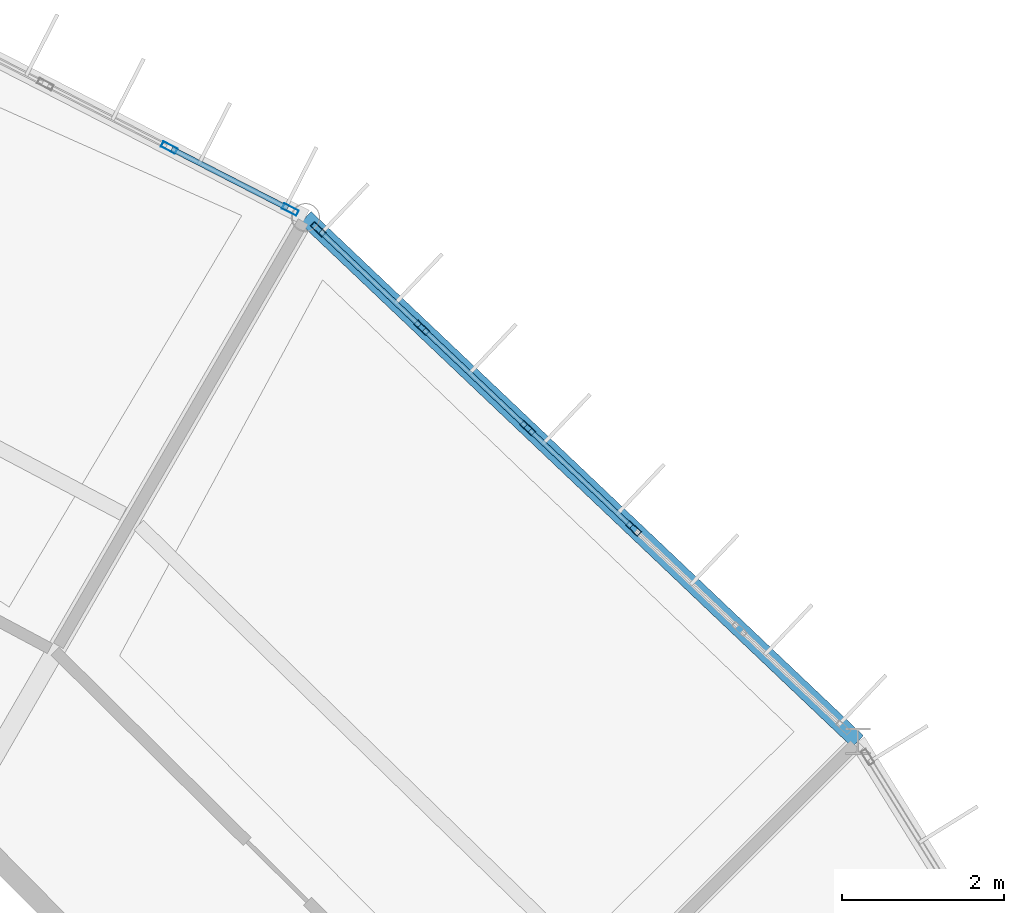
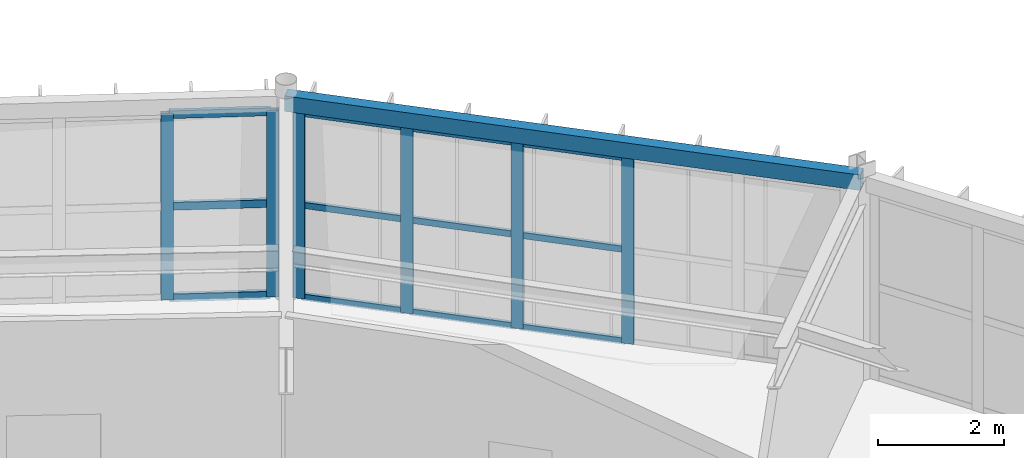
# One storey, part 89 of 148: 18 members, 1 beam, 2 elements without a shape of their own.
"""IFC4 building model written with IfcOpenShell, lengths in metres."""

from ifc_helpers import new_model, si_unit, direction, frame, origin, origin_2d, place, context, subcontext, project, spatial, hollow_rectangle, extrude, material, material_profile, profile_set, type_object, element, aggregate, save


model = new_model("IFC4")

# Units and contexts
model_context = context("Model", 3, precision=1e-05, world=origin(), true_north=direction((0.0, 1.0)))
body_context = subcontext(model_context, "Body", "Model", "MODEL_VIEW")
ifc_project = project(units=[si_unit("LENGTHUNIT", "METRE"), si_unit("AREAUNIT", "SQUARE_METRE"), si_unit("VOLUMEUNIT", "CUBIC_METRE"), si_unit("PLANEANGLEUNIT", "RADIAN"), si_unit("MASSUNIT", "GRAM", prefix="KILO")], contexts=[model_context])

# Site, building, storey
site_placement = place(None, origin())
site = spatial("IfcSite", under=ifc_project, at=site_placement, CompositionType="ELEMENT")
building_placement = place(site_placement, origin())
building = spatial("IfcBuilding", under=site, at=building_placement, Name="Karori Crest Natural Sciences Institute", CompositionType="ELEMENT")
storey_placement = place(building_placement, frame((0.0, 0.0, 4.89990234375)))
storey = spatial("IfcBuildingStorey", under=building, at=storey_placement, Name="L01", CompositionType="ELEMENT", Elevation=4.89990234375)

# Beam
ifc_material_1 = material(Name="Hollow structural steel AS/NZS 1163 Grade C350", Category="steel")
ifc_material_profile_1 = material_profile(ifc_material_1, hollow_rectangle(XDim=0.199951171875, YDim=0.300048828125, WallThickness=0.010009765625, at=origin_2d()), Name="RHS300x200x10")
ifc_profile_set_1 = profile_set([ifc_material_profile_1], Name="Hollow structural steel AS/NZS 1163 Grade C350")
beam_type = type_object("IfcBeamType", Name="BT-15", PredefinedType="SPANDREL", material=ifc_profile_set_1)
beam_placement = place(storey_placement, frame((89.734619140625, 78.75, 3.7900390625), z_axis=(-0.725481282589, 0.688241896874, 0.0), x_axis=(-0.688241896874, -0.725481282589, 0.0)))
element("IfcBeam", 1, at=beam_placement, inside=storey, type_object=beam_type, Name="Beam B-0191", PredefinedType="SPANDREL", context=body_context, shape_type="SweptSolid", body=[
    extrude(hollow_rectangle(XDim=0.199951171875, YDim=0.300048828125, WallThickness=0.010009765625, at=origin_2d()), origin(), (0.0, 0.0, 1.0), 9.4208984375),
])

# Curtain wall, members
ifc_material_2 = material(Name="Anodised architectural aluminium 6063-T6", Category="aluminium")
curtain_wall_type_1 = type_object("IfcCurtainWallType", Name="CWT-04", PredefinedType="NOTDEFINED", material=ifc_material_2)
curtain_wall_1_placement = place(storey_placement, origin())
curtain_wall_1 = element("IfcCurtainWall", 2, at=curtain_wall_1_placement, inside=storey, type_object=curtain_wall_type_1, Name="Curtain wall CW-0035", PredefinedType="NOTDEFINED")
ifc_material_profile_2 = material_profile(ifc_material_2, hollow_rectangle(XDim=0.074951171875, YDim=0.199951171875, WallThickness=0.0048828125, at=origin_2d()), Name="CWM200x75x5")
ifc_profile_set_2 = profile_set([ifc_material_profile_2], Name="Anodised architectural aluminium 6063-T6")
member_type_1 = type_object("IfcMemberType", Name="CWM-02", PredefinedType="MULLION", material=ifc_profile_set_2)
member_1_placement = place(storey_placement, frame((83.0546875, 85.0869140625, 0.0), z_axis=(0.0, 0.0, 1.0), x_axis=(0.688245939986, 0.725477446992, 0.0)))
member_1 = element("IfcMember", 3, at=member_1_placement, type_object=member_type_1, Name="CW-0035 mullion 1", PredefinedType="MULLION", context=body_context, shape_type="SweptSolid", body=[
    extrude(hollow_rectangle(XDim=0.074951171875, YDim=0.199951171875, WallThickness=0.0048828125, at=origin_2d()), origin(), (0.0, 0.0, 1.0), 3.625),
])
member_2_placement = place(storey_placement, frame((84.338134765625, 83.869384765625, 0.0), z_axis=(0.0, 0.0, 1.0), x_axis=(0.688245939986, 0.725477446992, 0.0)))
member_2 = element("IfcMember", 4, at=member_2_placement, type_object=member_type_1, Name="CW-0035 mullion 2", PredefinedType="MULLION", context=body_context, shape_type="SweptSolid", body=[
    extrude(hollow_rectangle(XDim=0.074951171875, YDim=0.199951171875, WallThickness=0.0048828125, at=origin_2d()), origin(), (0.0, 0.0, 1.0), 3.625),
])
member_3_placement = place(storey_placement, frame((85.648681640625, 82.626220703125, 0.0), z_axis=(0.0, 0.0, 1.0), x_axis=(0.688245939986, 0.725477446992, 0.0)))
member_3 = element("IfcMember", 5, at=member_3_placement, type_object=member_type_1, Name="CW-0035 mullion 3", PredefinedType="MULLION", context=body_context, shape_type="SweptSolid", body=[
    extrude(hollow_rectangle(XDim=0.074951171875, YDim=0.199951171875, WallThickness=0.0048828125, at=origin_2d()), origin(), (0.0, 0.0, 1.0), 3.625),
])
member_4_placement = place(storey_placement, frame((86.959228515625, 81.3828125, 0.0), z_axis=(0.0, 0.0, 1.0), x_axis=(0.688245939986, 0.725477446992, 0.0)))
member_4 = element("IfcMember", 6, at=member_4_placement, type_object=member_type_1, Name="CW-0035 mullion 4", PredefinedType="MULLION", context=body_context, shape_type="SweptSolid", body=[
    extrude(hollow_rectangle(XDim=0.074951171875, YDim=0.199951171875, WallThickness=0.0048828125, at=origin_2d()), origin(), (0.0, 0.0, 1.0), 3.625),
])

curtain_wall_type_2 = type_object("IfcCurtainWallType", Name="CWT-05", PredefinedType="NOTDEFINED", material=ifc_material_2)
curtain_wall_2_placement = place(storey_placement, origin())
curtain_wall_2 = element("IfcCurtainWall", 7, at=curtain_wall_2_placement, inside=storey, type_object=curtain_wall_type_2, Name="Curtain wall CW-0036", PredefinedType="NOTDEFINED")
member_5_placement = place(storey_placement, frame((81.21142578125, 86.098388671875, 0.0), z_axis=(0.0, 0.0, 1.0), x_axis=(0.455832988828, 0.890065326982, 0.0)))
member_5 = element("IfcMember", 8, at=member_5_placement, type_object=member_type_1, Name="CW-0036 mullion 5", PredefinedType="MULLION", context=body_context, shape_type="SweptSolid", body=[
    extrude(hollow_rectangle(XDim=0.074951171875, YDim=0.199951171875, WallThickness=0.0048828125, at=origin_2d()), origin(), (0.0, 0.0, 1.0), 3.625),
])
member_6_placement = place(storey_placement, frame((82.710205078125, 85.3310546875, 0.0), z_axis=(0.0, 0.0, 1.0), x_axis=(0.455832988828, 0.890065326982, 0.0)))
member_6 = element("IfcMember", 9, at=member_6_placement, type_object=member_type_1, Name="CW-0036 mullion 6", PredefinedType="MULLION", context=body_context, shape_type="SweptSolid", body=[
    extrude(hollow_rectangle(XDim=0.074951171875, YDim=0.199951171875, WallThickness=0.0048828125, at=origin_2d()), origin(), (0.0, 0.0, 1.0), 3.625),
])

# Member
ifc_material_profile_3 = material_profile(ifc_material_2, hollow_rectangle(XDim=0.06005859375, YDim=0.1201171875, WallThickness=0.00390625, at=origin_2d()), Name="CWT120x60x4")
ifc_profile_set_3 = profile_set([ifc_material_profile_3], Name="Anodised architectural aluminium 6063-T6")
member_type_2 = type_object("IfcMemberType", Name="CWT-TR1", PredefinedType="USERDEFINED", material=ifc_profile_set_3)
member_7_placement = place(storey_placement, frame((83.08203125, 85.061279296875, 0.030029296875), z_axis=(0.72538434978, -0.688344060114, 0.0), x_axis=(0.688344060114, 0.72538434978, 0.0)))
member_7 = element("IfcMember", 10, at=member_7_placement, type_object=member_type_2, Name="CW-0035 transom 1.1", ObjectType="TRANSOM", PredefinedType="USERDEFINED", context=body_context, shape_type="SweptSolid", body=[
    extrude(hollow_rectangle(XDim=0.06005859375, YDim=0.1201171875, WallThickness=0.00390625, at=origin_2d()), origin(), (0.0, 0.0, 1.0), 1.69384765625),
])

member_8_placement = place(storey_placement, frame((83.08203125, 85.061279296875, 1.8125), z_axis=(0.72538434978, -0.688344060114, 0.0), x_axis=(0.688344060114, 0.72538434978, 0.0)))
member_8 = element("IfcMember", 11, at=member_8_placement, type_object=member_type_2, Name="CW-0035 transom 1.2", ObjectType="TRANSOM", PredefinedType="USERDEFINED", context=body_context, shape_type="SweptSolid", body=[
    extrude(hollow_rectangle(XDim=0.06005859375, YDim=0.1201171875, WallThickness=0.00390625, at=origin_2d()), origin(), (0.0, 0.0, 1.0), 1.69384765625),
])

member_9_placement = place(storey_placement, frame((83.08203125, 85.061279296875, 3.59521484375), z_axis=(0.72538434978, -0.688344060114, 0.0), x_axis=(0.688344060114, 0.72538434978, 0.0)))
member_9 = element("IfcMember", 12, at=member_9_placement, type_object=member_type_2, Name="CW-0035 transom 1.3", ObjectType="TRANSOM", PredefinedType="USERDEFINED", context=body_context, shape_type="SweptSolid", body=[
    extrude(hollow_rectangle(XDim=0.06005859375, YDim=0.1201171875, WallThickness=0.00390625, at=origin_2d()), origin(), (0.0, 0.0, 1.0), 1.69384765625),
])

member_10_placement = place(storey_placement, frame((84.365234375, 83.84375, 0.030029296875), z_axis=(0.725470918085, -0.688252822016, 0.0), x_axis=(0.688252822016, 0.725470918085, 0.0)))
member_10 = element("IfcMember", 13, at=member_10_placement, type_object=member_type_2, Name="CW-0035 transom 2.1", ObjectType="TRANSOM", PredefinedType="USERDEFINED", context=body_context, shape_type="SweptSolid", body=[
    extrude(hollow_rectangle(XDim=0.06005859375, YDim=0.1201171875, WallThickness=0.00390625, at=origin_2d()), origin(), (0.0, 0.0, 1.0), 1.731689453125),
])

member_11_placement = place(storey_placement, frame((84.365234375, 83.84375, 1.8125), z_axis=(0.725470918085, -0.688252822016, 0.0), x_axis=(0.688252822016, 0.725470918085, 0.0)))
member_11 = element("IfcMember", 14, at=member_11_placement, type_object=member_type_2, Name="CW-0035 transom 2.2", ObjectType="TRANSOM", PredefinedType="USERDEFINED", context=body_context, shape_type="SweptSolid", body=[
    extrude(hollow_rectangle(XDim=0.06005859375, YDim=0.1201171875, WallThickness=0.00390625, at=origin_2d()), origin(), (0.0, 0.0, 1.0), 1.731689453125),
])

member_12_placement = place(storey_placement, frame((84.365234375, 83.84375, 3.59521484375), z_axis=(0.725470918085, -0.688252822016, 0.0), x_axis=(0.688252822016, 0.725470918085, 0.0)))
member_12 = element("IfcMember", 15, at=member_12_placement, type_object=member_type_2, Name="CW-0035 transom 2.3", ObjectType="TRANSOM", PredefinedType="USERDEFINED", context=body_context, shape_type="SweptSolid", body=[
    extrude(hollow_rectangle(XDim=0.06005859375, YDim=0.1201171875, WallThickness=0.00390625, at=origin_2d()), origin(), (0.0, 0.0, 1.0), 1.731689453125),
])

member_13_placement = place(storey_placement, frame((85.676025390625, 82.600341796875, 0.030029296875), z_axis=(0.725474530002, -0.68824901476, 0.0), x_axis=(0.68824901476, 0.725474530002, 0.0)))
member_13 = element("IfcMember", 16, at=member_13_placement, type_object=member_type_2, Name="CW-0035 transom 3.1", ObjectType="TRANSOM", PredefinedType="USERDEFINED", context=body_context, shape_type="SweptSolid", body=[
    extrude(hollow_rectangle(XDim=0.06005859375, YDim=0.1201171875, WallThickness=0.00390625, at=origin_2d()), origin(), (0.0, 0.0, 1.0), 1.7314453125),
])

member_14_placement = place(storey_placement, frame((85.676025390625, 82.600341796875, 1.8125), z_axis=(0.725474530002, -0.68824901476, 0.0), x_axis=(0.68824901476, 0.725474530002, 0.0)))
member_14 = element("IfcMember", 17, at=member_14_placement, type_object=member_type_2, Name="CW-0035 transom 3.2", ObjectType="TRANSOM", PredefinedType="USERDEFINED", context=body_context, shape_type="SweptSolid", body=[
    extrude(hollow_rectangle(XDim=0.06005859375, YDim=0.1201171875, WallThickness=0.00390625, at=origin_2d()), origin(), (0.0, 0.0, 1.0), 1.7314453125),
])

member_15_placement = place(storey_placement, frame((85.676025390625, 82.600341796875, 3.59521484375), z_axis=(0.725474530002, -0.68824901476, 0.0), x_axis=(0.68824901476, 0.725474530002, 0.0)))
member_15 = element("IfcMember", 18, at=member_15_placement, type_object=member_type_2, Name="CW-0035 transom 3.3", ObjectType="TRANSOM", PredefinedType="USERDEFINED", context=body_context, shape_type="SweptSolid", body=[
    extrude(hollow_rectangle(XDim=0.06005859375, YDim=0.1201171875, WallThickness=0.00390625, at=origin_2d()), origin(), (0.0, 0.0, 1.0), 1.7314453125),
])

aggregate(curtain_wall_1, [member_1, member_2, member_3, member_4, member_7, member_8, member_9, member_10, member_11, member_12, member_13, member_14, member_15])

ifc_material_profile_4 = material_profile(ifc_material_2, hollow_rectangle(XDim=0.06494140625, YDim=0.14990234375, WallThickness=0.00390625, at=origin_2d()), Name="CWT150x65x4")
ifc_profile_set_4 = profile_set([ifc_material_profile_4], Name="Anodised architectural aluminium 6063-T6")
member_type_3 = type_object("IfcMemberType", Name="CWT-TR2", PredefinedType="USERDEFINED", material=ifc_profile_set_4)
member_16_placement = place(storey_placement, frame((81.244873046875, 86.081298828125, 0.03271484375), z_axis=(0.890106437129, -0.455752707706, 0.0), x_axis=(0.455752707706, 0.890106437129, 0.0)))
member_16 = element("IfcMember", 19, at=member_16_placement, type_object=member_type_3, Name="CW-0036 transom 5.1", ObjectType="TRANSOM", PredefinedType="USERDEFINED", context=body_context, shape_type="SweptSolid", body=[
    extrude(hollow_rectangle(XDim=0.06494140625, YDim=0.14990234375, WallThickness=0.00390625, at=origin_2d()), origin(), (0.0, 0.0, 1.0), 1.608642578125),
])

member_17_placement = place(storey_placement, frame((81.244873046875, 86.081298828125, 1.8125), z_axis=(0.890106437129, -0.455752707706, 0.0), x_axis=(0.455752707706, 0.890106437129, 0.0)))
member_17 = element("IfcMember", 20, at=member_17_placement, type_object=member_type_3, Name="CW-0036 transom 5.2", ObjectType="TRANSOM", PredefinedType="USERDEFINED", context=body_context, shape_type="SweptSolid", body=[
    extrude(hollow_rectangle(XDim=0.06494140625, YDim=0.14990234375, WallThickness=0.00390625, at=origin_2d()), origin(), (0.0, 0.0, 1.0), 1.608642578125),
])

member_18_placement = place(storey_placement, frame((81.244873046875, 86.081298828125, 3.592529296875), z_axis=(0.890106437129, -0.455752707706, 0.0), x_axis=(0.455752707706, 0.890106437129, 0.0)))
member_18 = element("IfcMember", 21, at=member_18_placement, type_object=member_type_3, Name="CW-0036 transom 5.3", ObjectType="TRANSOM", PredefinedType="USERDEFINED", context=body_context, shape_type="SweptSolid", body=[
    extrude(hollow_rectangle(XDim=0.06494140625, YDim=0.14990234375, WallThickness=0.00390625, at=origin_2d()), origin(), (0.0, 0.0, 1.0), 1.608642578125),
])

aggregate(curtain_wall_2, [member_5, member_6, member_16, member_17, member_18])

save(model, "model.ifc")
